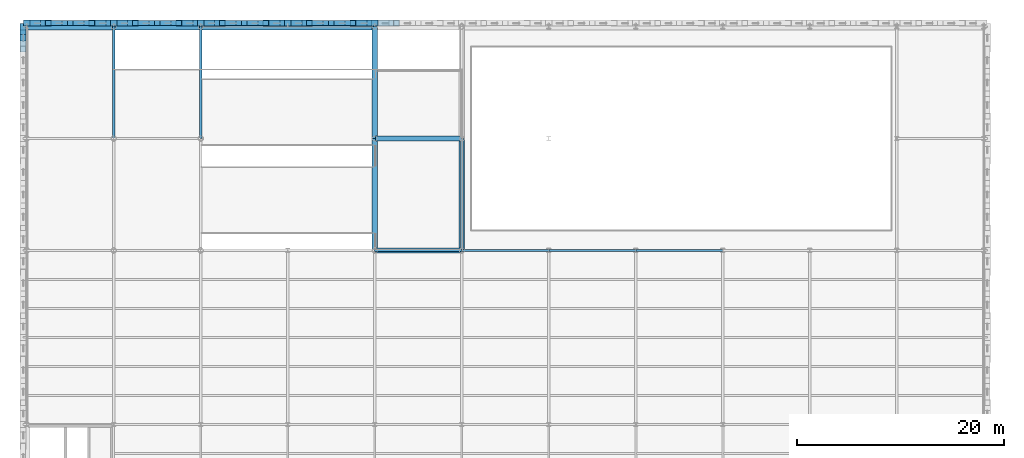
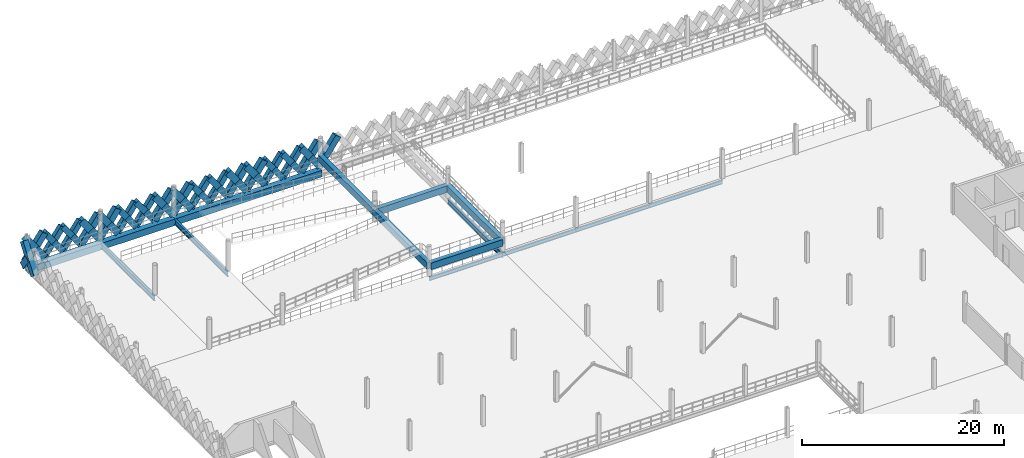
# One storey, part 30 of 79: 51 members, 15 beams.
"""IFC4 building model written with IfcOpenShell, lengths in metres."""

from ifc_helpers import new_model, si_unit, direction, frame, origin, origin_2d, place, context, subcontext, project, spatial, rectangle, i_section, extrude, material, material_profile, profile_set, type_object, element, save


model = new_model("IFC4")

# Units and contexts
model_context = context("Model", 3, precision=1e-05, world=origin(), true_north=direction((0.0, 1.0)))
body_context = subcontext(model_context, "Body", "Model", "MODEL_VIEW")
ifc_project = project(units=[si_unit("LENGTHUNIT", "METRE"), si_unit("AREAUNIT", "SQUARE_METRE"), si_unit("VOLUMEUNIT", "CUBIC_METRE"), si_unit("PLANEANGLEUNIT", "RADIAN"), si_unit("MASSUNIT", "GRAM", prefix="KILO"), si_unit("THERMODYNAMICTEMPERATUREUNIT", "KELVIN"), si_unit("POWERUNIT", "WATT")], contexts=[model_context])

# Site, building, storey
site_placement = place(None, origin())
site = spatial("IfcSite", under=ifc_project, at=site_placement, CompositionType="ELEMENT")
building_placement = place(site_placement, origin())
building = spatial("IfcBuilding", under=site, at=building_placement, Name="Tembeka Court Mobility Hub", CompositionType="ELEMENT")
storey_placement = place(building_placement, frame((0.0, 0.0, 9.0)))
storey = spatial("IfcBuildingStorey", under=building, at=storey_placement, Name="L02", CompositionType="ELEMENT", Elevation=9.0)

# Beams
ifc_material_1 = material(Name="Steel S355", Category="steel")
ifc_material_profile_1 = material_profile(ifc_material_1, i_section(OverallWidth=0.18994140625, OverallDepth=0.45703125, WebThickness=0.009033203125, FlangeThickness=0.014404296875, FilletRadius=0.01025390625, at=origin_2d()), Name="UKB 457x191x74")
ifc_profile_set_1 = profile_set([ifc_material_profile_1], Name="Steel S355")
beam_type_1 = type_object("IfcBeamType", Name="BM-B01", PredefinedType="BEAM", material=ifc_profile_set_1)
for number, where, z_axis, x_axis, name in (
    (1, (33.60009765625, 97.199951171875, -0.448486328125), (1.0, 0.0, 0.0), (0.0, 1.0, 0.0), "Beam B01 (BM-L02-X1287)"),
    (2, (42.0, 97.199951171875, -0.448486328125), (1.0, 0.0, 0.0), (0.0, 1.0, 0.0), "Beam B01 (BM-L02-X1288)"),
):
    element("IfcBeam", number, at=place(storey_placement, frame(where, z_axis=z_axis, x_axis=x_axis)), inside=storey, type_object=beam_type_1, Name=name, PredefinedType="BEAM", context=body_context, shape_type="SweptSolid", body=[
        extrude(i_section(OverallWidth=0.18994140625, OverallDepth=0.45703125, WebThickness=0.009033203125, FlangeThickness=0.014404296875, FilletRadius=0.01025390625, at=origin_2d()), origin(), (0.0, 0.0, 1.0), 8.39990234375),
    ])
beam_1_placement = place(storey_placement, frame((50.39990234375, 97.199951171875, -0.448486328125), z_axis=(1.0, 0.0, 0.0), x_axis=(0.0, 1.0, 0.0)))
element("IfcBeam", 3, at=beam_1_placement, inside=storey, type_object=beam_type_1, Name="Beam B01 (BM-L02-X1289)", PredefinedType="BEAM", context=body_context, shape_type="SweptSolid", body=[
    extrude(i_section(OverallWidth=0.18994140625, OverallDepth=0.45703125, WebThickness=0.009033203125, FlangeThickness=0.014404296875, FilletRadius=0.01025390625, at=origin_2d()), origin(), (0.0, 0.0, 1.0), 8.400146484375),
])
beam_2_placement = place(storey_placement, frame((58.800048828125, 97.199951171875, -0.448486328125), z_axis=(1.0, 0.0, 0.0), x_axis=(0.0, 1.0, 0.0)))
element("IfcBeam", 4, at=beam_2_placement, inside=storey, type_object=beam_type_1, Name="Beam B01 (BM-L02-X1290)", PredefinedType="BEAM", context=body_context, shape_type="SweptSolid", body=[
    extrude(i_section(OverallWidth=0.18994140625, OverallDepth=0.45703125, WebThickness=0.009033203125, FlangeThickness=0.014404296875, FilletRadius=0.01025390625, at=origin_2d()), origin(), (0.0, 0.0, 1.0), 8.39990234375),
])
ifc_material_2 = material(Name="Concrete C40/50", Category="concrete")
ifc_material_profile_2 = material_profile(ifc_material_2, rectangle(XDim=0.5, YDim=0.800048828125, at=origin_2d()), Name="RC-BM 500x800")
ifc_profile_set_2 = profile_set([ifc_material_profile_2], Name="Concrete C40/50")
beam_type_2 = type_object("IfcBeamType", Name="BM-B05", PredefinedType="BEAM", material=ifc_profile_set_2)
for number, where, z_axis, x_axis, name in (
    (5, (33.695068359375, 97.199951171875, 1.14990234375), (1.0, 0.0, 0.0), (0.0, 1.0, 0.0), "Car park vehicle ramp North R1 L02 half-landing tie beam EX1"),
    (6, (33.695068359375, 108.0, 1.14990234375), (1.0, 0.0, 0.0), (0.0, 1.0, 0.0), "Car park vehicle ramp North R1 L02 half-landing tie beam EX2"),
):
    element("IfcBeam", number, at=place(storey_placement, frame(where, z_axis=z_axis, x_axis=x_axis)), inside=storey, type_object=beam_type_2, Name=name, PredefinedType="BEAM", context=body_context, shape_type="SweptSolid", body=[
        extrude(rectangle(XDim=0.5, YDim=0.800048828125, at=origin_2d()), origin(), (0.0, 0.0, 1.0), 8.2099609375),
    ])
for number, where, z_axis, x_axis, name in (
    (7, (33.60009765625, 97.199951171875, 1.14990234375), (0.0, 1.0, 0.0), (-1.0, 0.0, 0.0), "Car park vehicle ramp North R1 L02 half-landing beam EM1"),
    (8, (33.60009765625, 108.0, 1.14990234375), (0.0, 1.0, 0.0), (-1.0, 0.0, 0.0), "Car park vehicle ramp North R1 L02 half-landing beam EM2"),
    (9, (42.0, 97.199951171875, 1.14990234375), (0.0, 1.0, 0.0), (-1.0, 0.0, 0.0), "Car park vehicle ramp North R1 L02 half-landing beam EE1"),
):
    element("IfcBeam", number, at=place(storey_placement, frame(where, z_axis=z_axis, x_axis=x_axis)), inside=storey, type_object=beam_type_2, Name=name, PredefinedType="BEAM", context=body_context, shape_type="SweptSolid", body=[
        extrude(rectangle(XDim=0.5, YDim=0.800048828125, at=origin_2d()), origin(), (0.0, 0.0, 1.0), 10.800048828125),
    ])
ifc_material_profile_3 = material_profile(ifc_material_1, i_section(OverallWidth=0.22900390625, OverallDepth=0.612060546875, WebThickness=0.011962890625, FlangeThickness=0.01953125, FilletRadius=0.0126953125, at=origin_2d()), Name="UKB 610x229x125")
ifc_profile_set_3 = profile_set([ifc_material_profile_3], Name="Steel S355")
beam_type_3 = type_object("IfcBeamType", Name="BM-G02", PredefinedType="USERDEFINED", material=ifc_profile_set_3)
for number, where, z_axis, x_axis, name in (
    (10, (8.39990234375, 108.0, -0.555908203125), (0.0, 1.0, 0.0), (-1.0, 0.0, 0.0), "Beam G02 (BM-L02-Y1328)"),
    (11, (16.800048828125, 108.0, -0.555908203125), (0.0, 1.0, 0.0), (-1.0, 0.0, 0.0), "Beam G02 (BM-L02-Y1339)"),
    (12, (42.0, 97.199951171875, -0.52587890625), (0.0, 1.0, 0.0), (-1.0, 0.0, 0.0), "Beam G02 (BM-L02-Y1361)"),
):
    element("IfcBeam", number, at=place(storey_placement, frame(where, z_axis=z_axis, x_axis=x_axis)), inside=storey, type_object=beam_type_3, Name=name, ObjectType="GIRDER", PredefinedType="USERDEFINED", context=body_context, shape_type="SweptSolid", body=[
        extrude(i_section(OverallWidth=0.22900390625, OverallDepth=0.612060546875, WebThickness=0.011962890625, FlangeThickness=0.01953125, FilletRadius=0.0126953125, at=origin_2d()), origin(), (0.0, 0.0, 1.0), 10.800048828125),
    ])
ifc_material_3 = material(Name="Precast concrete C45/55", Category="concrete")
ifc_material_profile_4 = material_profile(ifc_material_3, rectangle(XDim=0.64990234375, YDim=0.800048828125, at=origin_2d()), Name="PC-SP 650x800")
ifc_profile_set_4 = profile_set([ifc_material_profile_4], Name="Precast concrete C45/55")
beam_type_4 = type_object("IfcBeamType", Name="BM-SP01", PredefinedType="SPANDREL", material=ifc_profile_set_4)
beam_3_placement = place(storey_placement, frame((0.0, 118.800048828125, -0.6201171875), z_axis=(1.0, 0.0, 0.0), x_axis=(0.0, 1.0, 0.0)))
element("IfcBeam", 13, at=beam_3_placement, inside=storey, type_object=beam_type_4, Name="Beam SP01 (BM-L02-X1297)", PredefinedType="SPANDREL", context=body_context, shape_type="SweptSolid", body=[
    extrude(rectangle(XDim=0.64990234375, YDim=0.800048828125, at=origin_2d()), origin(), (0.0, 0.0, 1.0), 8.39990234375),
])
beam_4_placement = place(storey_placement, frame((8.39990234375, 118.800048828125, -0.6201171875), z_axis=(1.0, 0.0, 0.0), x_axis=(0.0, 1.0, 0.0)))
element("IfcBeam", 14, at=beam_4_placement, inside=storey, type_object=beam_type_4, Name="Beam SP01 (BM-L02-X1298)", PredefinedType="SPANDREL", context=body_context, shape_type="SweptSolid", body=[
    extrude(rectangle(XDim=0.64990234375, YDim=0.800048828125, at=origin_2d()), origin(), (0.0, 0.0, 1.0), 8.400146484375),
])
beam_5_placement = place(storey_placement, frame((16.800048828125, 118.800048828125, -0.6201171875), z_axis=(1.0, 0.0, 0.0), x_axis=(0.0, 1.0, 0.0)))
element("IfcBeam", 15, at=beam_5_placement, inside=storey, type_object=beam_type_4, Name="Beam SP01 (BM-L02-X1299)", PredefinedType="SPANDREL", context=body_context, shape_type="SweptSolid", body=[
    extrude(rectangle(XDim=0.64990234375, YDim=0.800048828125, at=origin_2d()), origin(), (0.0, 0.0, 1.0), 16.800048828125),
])

# Members
ifc_material_profile_5 = material_profile(ifc_material_3, rectangle(XDim=0.5, YDim=0.64990234375, at=origin_2d()), Name="PC-DIAG 500x650")
ifc_profile_set_5 = profile_set([ifc_material_profile_5], Name="Precast concrete C45/55")
member_type_1 = type_object("IfcMemberType", Name="MEM-DL01", PredefinedType="BRACE", material=ifc_profile_set_5)
member_1_placement = place(storey_placement, frame((2.10009765625, 119.139892578125, 0.02001953125), z_axis=(0.58253161945, 0.0, 0.812808041509), x_axis=(0.0, 1.0, 0.0)))
element("IfcMember", 16, at=member_1_placement, inside=storey, type_object=member_type_1, Name="Precast diamond lattice continuous strand DL01 (L02-234A)", PredefinedType="BRACE", context=body_context, shape_type="SweptSolid", body=[
    extrude(rectangle(XDim=0.5, YDim=0.64990234375, at=origin_2d()), origin(), (0.0, 0.0, 1.0), 3.604736328125),
])
member_2_placement = place(storey_placement, frame((4.199951171875, 119.139892578125, 0.02001953125), z_axis=(-0.582544294934, 0.0, 0.812798956963), x_axis=(0.0, -1.0, 0.0)))
element("IfcMember", 17, at=member_2_placement, inside=storey, type_object=member_type_1, Name="Precast diamond lattice split lower strand DL01 (L02-234B1)", PredefinedType="BRACE", context=body_context, shape_type="SweptSolid", body=[
    extrude(rectangle(XDim=0.5, YDim=0.64990234375, at=origin_2d()), origin(), (0.0, 0.0, 1.0), 1.802490234375),
])
member_3_placement = place(storey_placement, frame((3.14990234375, 119.139892578125, 1.485107421875), z_axis=(-0.582518941428, 0.0, 0.812817127574), x_axis=(0.0, -1.0, 0.0)))
element("IfcMember", 18, at=member_3_placement, inside=storey, type_object=member_type_1, Name="Precast diamond lattice split upper strand DL01 (L02-234B2)", PredefinedType="BRACE", context=body_context, shape_type="SweptSolid", body=[
    extrude(rectangle(XDim=0.5, YDim=0.64990234375, at=origin_2d()), origin(), (0.0, 0.0, 1.0), 1.80224609375),
])
member_4_placement = place(storey_placement, frame((4.199951171875, 119.139892578125, 0.02001953125), z_axis=(0.582576362011, 0.0, 0.812775973086), x_axis=(0.0, 1.0, 0.0)))
element("IfcMember", 19, at=member_4_placement, inside=storey, type_object=member_type_1, Name="Precast diamond lattice continuous strand DL01 (L02-235A)", PredefinedType="BRACE", context=body_context, shape_type="SweptSolid", body=[
    extrude(rectangle(XDim=0.5, YDim=0.64990234375, at=origin_2d()), origin(), (0.0, 0.0, 1.0), 3.604736328125),
])
member_5_placement = place(storey_placement, frame((6.300048828125, 119.139892578125, 0.02001953125), z_axis=(-0.582544294934, 0.0, 0.812798956963), x_axis=(0.0, -1.0, 0.0)))
element("IfcMember", 20, at=member_5_placement, inside=storey, type_object=member_type_1, Name="Precast diamond lattice split lower strand DL01 (L02-235B1)", PredefinedType="BRACE", context=body_context, shape_type="SweptSolid", body=[
    extrude(rectangle(XDim=0.5, YDim=0.64990234375, at=origin_2d()), origin(), (0.0, 0.0, 1.0), 1.802490234375),
])
member_6_placement = place(storey_placement, frame((5.25, 119.139892578125, 1.485107421875), z_axis=(-0.582608431711, 0.0, 0.812752985414), x_axis=(0.0, -1.0, 0.0)))
element("IfcMember", 21, at=member_6_placement, inside=storey, type_object=member_type_1, Name="Precast diamond lattice split upper strand DL01 (L02-235B2)", PredefinedType="BRACE", context=body_context, shape_type="SweptSolid", body=[
    extrude(rectangle(XDim=0.5, YDim=0.64990234375, at=origin_2d()), origin(), (0.0, 0.0, 1.0), 1.80224609375),
])
member_7_placement = place(storey_placement, frame((10.5, 119.139892578125, 0.02001953125), z_axis=(0.582576362011, 0.0, 0.812775973086), x_axis=(0.0, 1.0, 0.0)))
element("IfcMember", 22, at=member_7_placement, inside=storey, type_object=member_type_1, Name="Precast diamond lattice continuous strand DL01 (L02-238A)", PredefinedType="BRACE", context=body_context, shape_type="SweptSolid", body=[
    extrude(rectangle(XDim=0.5, YDim=0.64990234375, at=origin_2d()), origin(), (0.0, 0.0, 1.0), 3.604736328125),
])
member_8_placement = place(storey_placement, frame((12.60009765625, 119.139892578125, 0.02001953125), z_axis=(-0.582544294934, 0.0, 0.812798956963), x_axis=(0.0, -1.0, 0.0)))
element("IfcMember", 23, at=member_8_placement, inside=storey, type_object=member_type_1, Name="Precast diamond lattice split lower strand DL01 (L02-238B1)", PredefinedType="BRACE", context=body_context, shape_type="SweptSolid", body=[
    extrude(rectangle(XDim=0.5, YDim=0.64990234375, at=origin_2d()), origin(), (0.0, 0.0, 1.0), 1.802490234375),
])
member_9_placement = place(storey_placement, frame((11.550048828125, 119.139892578125, 1.485107421875), z_axis=(-0.582608431711, 0.0, 0.812752985414), x_axis=(0.0, -1.0, 0.0)))
element("IfcMember", 24, at=member_9_placement, inside=storey, type_object=member_type_1, Name="Precast diamond lattice split upper strand DL01 (L02-238B2)", PredefinedType="BRACE", context=body_context, shape_type="SweptSolid", body=[
    extrude(rectangle(XDim=0.5, YDim=0.64990234375, at=origin_2d()), origin(), (0.0, 0.0, 1.0), 1.80224609375),
])
member_10_placement = place(storey_placement, frame((12.60009765625, 119.139892578125, 0.02001953125), z_axis=(0.58253161945, 0.0, 0.812808041509), x_axis=(0.0, 1.0, 0.0)))
element("IfcMember", 25, at=member_10_placement, inside=storey, type_object=member_type_1, Name="Precast diamond lattice continuous strand DL01 (L02-239A)", PredefinedType="BRACE", context=body_context, shape_type="SweptSolid", body=[
    extrude(rectangle(XDim=0.5, YDim=0.64990234375, at=origin_2d()), origin(), (0.0, 0.0, 1.0), 3.604736328125),
])
member_11_placement = place(storey_placement, frame((14.699951171875, 119.139892578125, 0.02001953125), z_axis=(-0.582544294934, 0.0, 0.812798956963), x_axis=(0.0, -1.0, 0.0)))
element("IfcMember", 26, at=member_11_placement, inside=storey, type_object=member_type_1, Name="Precast diamond lattice split lower strand DL01 (L02-239B1)", PredefinedType="BRACE", context=body_context, shape_type="SweptSolid", body=[
    extrude(rectangle(XDim=0.5, YDim=0.64990234375, at=origin_2d()), origin(), (0.0, 0.0, 1.0), 1.802490234375),
])
member_12_placement = place(storey_placement, frame((13.64990234375, 119.139892578125, 1.485107421875), z_axis=(-0.582518941428, 0.0, 0.812817127574), x_axis=(0.0, -1.0, 0.0)))
element("IfcMember", 27, at=member_12_placement, inside=storey, type_object=member_type_1, Name="Precast diamond lattice split upper strand DL01 (L02-239B2)", PredefinedType="BRACE", context=body_context, shape_type="SweptSolid", body=[
    extrude(rectangle(XDim=0.5, YDim=0.64990234375, at=origin_2d()), origin(), (0.0, 0.0, 1.0), 1.80224609375),
])
member_13_placement = place(storey_placement, frame((18.89990234375, 119.139892578125, 0.02001953125), z_axis=(0.582576362011, 0.0, 0.812775973086), x_axis=(0.0, 1.0, 0.0)))
element("IfcMember", 28, at=member_13_placement, inside=storey, type_object=member_type_1, Name="Precast diamond lattice continuous strand DL01 (L02-242A)", PredefinedType="BRACE", context=body_context, shape_type="SweptSolid", body=[
    extrude(rectangle(XDim=0.5, YDim=0.64990234375, at=origin_2d()), origin(), (0.0, 0.0, 1.0), 3.604736328125),
])
member_14_placement = place(storey_placement, frame((21.0, 119.139892578125, 0.02001953125), z_axis=(-0.582544294934, 0.0, 0.812798956963), x_axis=(0.0, -1.0, 0.0)))
element("IfcMember", 29, at=member_14_placement, inside=storey, type_object=member_type_1, Name="Precast diamond lattice split lower strand DL01 (L02-242B1)", PredefinedType="BRACE", context=body_context, shape_type="SweptSolid", body=[
    extrude(rectangle(XDim=0.5, YDim=0.64990234375, at=origin_2d()), origin(), (0.0, 0.0, 1.0), 1.802490234375),
])
member_15_placement = place(storey_placement, frame((19.949951171875, 119.139892578125, 1.485107421875), z_axis=(-0.582608431711, 0.0, 0.812752985414), x_axis=(0.0, -1.0, 0.0)))
element("IfcMember", 30, at=member_15_placement, inside=storey, type_object=member_type_1, Name="Precast diamond lattice split upper strand DL01 (L02-242B2)", PredefinedType="BRACE", context=body_context, shape_type="SweptSolid", body=[
    extrude(rectangle(XDim=0.5, YDim=0.64990234375, at=origin_2d()), origin(), (0.0, 0.0, 1.0), 1.80224609375),
])
member_16_placement = place(storey_placement, frame((21.0, 119.139892578125, 0.02001953125), z_axis=(0.582576362011, 0.0, 0.812775973086), x_axis=(0.0, 1.0, 0.0)))
element("IfcMember", 31, at=member_16_placement, inside=storey, type_object=member_type_1, Name="Precast diamond lattice continuous strand DL01 (L02-243A)", PredefinedType="BRACE", context=body_context, shape_type="SweptSolid", body=[
    extrude(rectangle(XDim=0.5, YDim=0.64990234375, at=origin_2d()), origin(), (0.0, 0.0, 1.0), 3.604736328125),
])
member_17_placement = place(storey_placement, frame((23.10009765625, 119.139892578125, 0.02001953125), z_axis=(-0.582544294934, 0.0, 0.812798956963), x_axis=(0.0, -1.0, 0.0)))
element("IfcMember", 32, at=member_17_placement, inside=storey, type_object=member_type_1, Name="Precast diamond lattice split lower strand DL01 (L02-243B1)", PredefinedType="BRACE", context=body_context, shape_type="SweptSolid", body=[
    extrude(rectangle(XDim=0.5, YDim=0.64990234375, at=origin_2d()), origin(), (0.0, 0.0, 1.0), 1.802490234375),
])
member_18_placement = place(storey_placement, frame((22.050048828125, 119.139892578125, 1.485107421875), z_axis=(-0.582608431711, 0.0, 0.812752985414), x_axis=(0.0, -1.0, 0.0)))
element("IfcMember", 33, at=member_18_placement, inside=storey, type_object=member_type_1, Name="Precast diamond lattice split upper strand DL01 (L02-243B2)", PredefinedType="BRACE", context=body_context, shape_type="SweptSolid", body=[
    extrude(rectangle(XDim=0.5, YDim=0.64990234375, at=origin_2d()), origin(), (0.0, 0.0, 1.0), 1.80224609375),
])
member_19_placement = place(storey_placement, frame((27.300048828125, 119.139892578125, 0.02001953125), z_axis=(0.58253161945, 0.0, 0.812808041509), x_axis=(0.0, 1.0, 0.0)))
element("IfcMember", 34, at=member_19_placement, inside=storey, type_object=member_type_1, Name="Precast diamond lattice continuous strand DL01 (L02-246A)", PredefinedType="BRACE", context=body_context, shape_type="SweptSolid", body=[
    extrude(rectangle(XDim=0.5, YDim=0.64990234375, at=origin_2d()), origin(), (0.0, 0.0, 1.0), 3.604736328125),
])
member_20_placement = place(storey_placement, frame((29.39990234375, 119.139892578125, 0.02001953125), z_axis=(-0.582454804382, 0.0, 0.812863088627), x_axis=(0.0, -1.0, 0.0)))
element("IfcMember", 35, at=member_20_placement, inside=storey, type_object=member_type_1, Name="Precast diamond lattice split lower strand DL01 (L02-246B1)", PredefinedType="BRACE", context=body_context, shape_type="SweptSolid", body=[
    extrude(rectangle(XDim=0.5, YDim=0.64990234375, at=origin_2d()), origin(), (0.0, 0.0, 1.0), 1.802490234375),
])
member_21_placement = place(storey_placement, frame((28.35009765625, 119.139892578125, 1.485107421875), z_axis=(-0.582608431711, 0.0, 0.812752985414), x_axis=(0.0, -1.0, 0.0)))
element("IfcMember", 36, at=member_21_placement, inside=storey, type_object=member_type_1, Name="Precast diamond lattice split upper strand DL01 (L02-246B2)", PredefinedType="BRACE", context=body_context, shape_type="SweptSolid", body=[
    extrude(rectangle(XDim=0.5, YDim=0.64990234375, at=origin_2d()), origin(), (0.0, 0.0, 1.0), 1.80224609375),
])
member_22_placement = place(storey_placement, frame((29.39990234375, 119.139892578125, 0.02001953125), z_axis=(0.582576362011, 0.0, 0.812775973086), x_axis=(0.0, 1.0, 0.0)))
element("IfcMember", 37, at=member_22_placement, inside=storey, type_object=member_type_1, Name="Precast diamond lattice continuous strand DL01 (L02-247A)", PredefinedType="BRACE", context=body_context, shape_type="SweptSolid", body=[
    extrude(rectangle(XDim=0.5, YDim=0.64990234375, at=origin_2d()), origin(), (0.0, 0.0, 1.0), 3.604736328125),
])
member_23_placement = place(storey_placement, frame((31.5, 119.139892578125, 0.02001953125), z_axis=(-0.582544294934, 0.0, 0.812798956963), x_axis=(0.0, -1.0, 0.0)))
element("IfcMember", 38, at=member_23_placement, inside=storey, type_object=member_type_1, Name="Precast diamond lattice split lower strand DL01 (L02-247B1)", PredefinedType="BRACE", context=body_context, shape_type="SweptSolid", body=[
    extrude(rectangle(XDim=0.5, YDim=0.64990234375, at=origin_2d()), origin(), (0.0, 0.0, 1.0), 1.802490234375),
])
member_24_placement = place(storey_placement, frame((30.449951171875, 119.139892578125, 1.485107421875), z_axis=(-0.582608431711, 0.0, 0.812752985414), x_axis=(0.0, -1.0, 0.0)))
element("IfcMember", 39, at=member_24_placement, inside=storey, type_object=member_type_1, Name="Precast diamond lattice split upper strand DL01 (L02-247B2)", PredefinedType="BRACE", context=body_context, shape_type="SweptSolid", body=[
    extrude(rectangle(XDim=0.5, YDim=0.64990234375, at=origin_2d()), origin(), (0.0, 0.0, 1.0), 1.80224609375),
])
ifc_material_profile_6 = material_profile(ifc_material_3, rectangle(XDim=0.60009765625, YDim=0.75, at=origin_2d()), Name="PC-DIAG 600x750")
ifc_profile_set_6 = profile_set([ifc_material_profile_6], Name="Precast concrete C45/55")
member_type_2 = type_object("IfcMemberType", Name="MEM-DL02", PredefinedType="BRACE", material=ifc_profile_set_6)
member_25_placement = place(storey_placement, frame((0.0, 119.139892578125, 0.02001953125), z_axis=(0.582576362011, 0.0, 0.812775973086), x_axis=(0.0, 1.0, 0.0)))
element("IfcMember", 40, at=member_25_placement, inside=storey, type_object=member_type_2, Name="Precast diamond lattice continuous strand DL02 (L02-233A)", PredefinedType="BRACE", context=body_context, shape_type="SweptSolid", body=[
    extrude(rectangle(XDim=0.60009765625, YDim=0.75, at=origin_2d()), origin(), (0.0, 0.0, 1.0), 3.604736328125),
])
member_26_placement = place(storey_placement, frame((2.10009765625, 119.139892578125, 0.02001953125), z_axis=(-0.582544294934, 0.0, 0.812798956963), x_axis=(0.0, -1.0, 0.0)))
element("IfcMember", 41, at=member_26_placement, inside=storey, type_object=member_type_2, Name="Precast diamond lattice split lower strand DL02 (L02-233B1)", PredefinedType="BRACE", context=body_context, shape_type="SweptSolid", body=[
    extrude(rectangle(XDim=0.60009765625, YDim=0.75, at=origin_2d()), origin(), (0.0, 0.0, 1.0), 1.802490234375),
])
member_27_placement = place(storey_placement, frame((1.050048828125, 119.139892578125, 1.485107421875), z_axis=(-0.582608431711, 0.0, 0.812752985414), x_axis=(0.0, -1.0, 0.0)))
element("IfcMember", 42, at=member_27_placement, inside=storey, type_object=member_type_2, Name="Precast diamond lattice split upper strand DL02 (L02-233B2)", PredefinedType="BRACE", context=body_context, shape_type="SweptSolid", body=[
    extrude(rectangle(XDim=0.60009765625, YDim=0.75, at=origin_2d()), origin(), (0.0, 0.0, 1.0), 1.80224609375),
])
member_28_placement = place(storey_placement, frame((6.300048828125, 119.139892578125, 0.02001953125), z_axis=(0.58253161945, 0.0, 0.812808041509), x_axis=(0.0, 1.0, 0.0)))
element("IfcMember", 43, at=member_28_placement, inside=storey, type_object=member_type_2, Name="Precast diamond lattice continuous strand DL02 (L02-236A)", PredefinedType="BRACE", context=body_context, shape_type="SweptSolid", body=[
    extrude(rectangle(XDim=0.60009765625, YDim=0.75, at=origin_2d()), origin(), (0.0, 0.0, 1.0), 3.604736328125),
])
member_29_placement = place(storey_placement, frame((8.39990234375, 119.139892578125, 0.02001953125), z_axis=(-0.582454804382, 0.0, 0.812863088627), x_axis=(0.0, -1.0, 0.0)))
element("IfcMember", 44, at=member_29_placement, inside=storey, type_object=member_type_2, Name="Precast diamond lattice split lower strand DL02 (L02-236B1)", PredefinedType="BRACE", context=body_context, shape_type="SweptSolid", body=[
    extrude(rectangle(XDim=0.60009765625, YDim=0.75, at=origin_2d()), origin(), (0.0, 0.0, 1.0), 1.802490234375),
])
member_30_placement = place(storey_placement, frame((7.35009765625, 119.139892578125, 1.485107421875), z_axis=(-0.582608431711, 0.0, 0.812752985414), x_axis=(0.0, -1.0, 0.0)))
element("IfcMember", 45, at=member_30_placement, inside=storey, type_object=member_type_2, Name="Precast diamond lattice split upper strand DL02 (L02-236B2)", PredefinedType="BRACE", context=body_context, shape_type="SweptSolid", body=[
    extrude(rectangle(XDim=0.60009765625, YDim=0.75, at=origin_2d()), origin(), (0.0, 0.0, 1.0), 1.80224609375),
])
member_31_placement = place(storey_placement, frame((8.39990234375, 119.139892578125, 0.02001953125), z_axis=(0.582576362011, 0.0, 0.812775973086), x_axis=(0.0, 1.0, 0.0)))
element("IfcMember", 46, at=member_31_placement, inside=storey, type_object=member_type_2, Name="Precast diamond lattice continuous strand DL02 (L02-237A)", PredefinedType="BRACE", context=body_context, shape_type="SweptSolid", body=[
    extrude(rectangle(XDim=0.60009765625, YDim=0.75, at=origin_2d()), origin(), (0.0, 0.0, 1.0), 3.604736328125),
])
member_32_placement = place(storey_placement, frame((10.5, 119.139892578125, 0.02001953125), z_axis=(-0.582544294934, 0.0, 0.812798956963), x_axis=(0.0, -1.0, 0.0)))
element("IfcMember", 47, at=member_32_placement, inside=storey, type_object=member_type_2, Name="Precast diamond lattice split lower strand DL02 (L02-237B1)", PredefinedType="BRACE", context=body_context, shape_type="SweptSolid", body=[
    extrude(rectangle(XDim=0.60009765625, YDim=0.75, at=origin_2d()), origin(), (0.0, 0.0, 1.0), 1.802490234375),
])
member_33_placement = place(storey_placement, frame((9.449951171875, 119.139892578125, 1.485107421875), z_axis=(-0.582608431711, 0.0, 0.812752985414), x_axis=(0.0, -1.0, 0.0)))
element("IfcMember", 48, at=member_33_placement, inside=storey, type_object=member_type_2, Name="Precast diamond lattice split upper strand DL02 (L02-237B2)", PredefinedType="BRACE", context=body_context, shape_type="SweptSolid", body=[
    extrude(rectangle(XDim=0.60009765625, YDim=0.75, at=origin_2d()), origin(), (0.0, 0.0, 1.0), 1.80224609375),
])
member_34_placement = place(storey_placement, frame((14.699951171875, 119.139892578125, 0.02001953125), z_axis=(0.582576362011, 0.0, 0.812775973086), x_axis=(0.0, 1.0, 0.0)))
element("IfcMember", 49, at=member_34_placement, inside=storey, type_object=member_type_2, Name="Precast diamond lattice continuous strand DL02 (L02-240A)", PredefinedType="BRACE", context=body_context, shape_type="SweptSolid", body=[
    extrude(rectangle(XDim=0.60009765625, YDim=0.75, at=origin_2d()), origin(), (0.0, 0.0, 1.0), 3.604736328125),
])
member_35_placement = place(storey_placement, frame((16.800048828125, 119.139892578125, 0.02001953125), z_axis=(-0.582544294934, 0.0, 0.812798956963), x_axis=(0.0, -1.0, 0.0)))
element("IfcMember", 50, at=member_35_placement, inside=storey, type_object=member_type_2, Name="Precast diamond lattice split lower strand DL02 (L02-240B1)", PredefinedType="BRACE", context=body_context, shape_type="SweptSolid", body=[
    extrude(rectangle(XDim=0.60009765625, YDim=0.75, at=origin_2d()), origin(), (0.0, 0.0, 1.0), 1.802490234375),
])
member_36_placement = place(storey_placement, frame((15.75, 119.139892578125, 1.485107421875), z_axis=(-0.582608431711, 0.0, 0.812752985414), x_axis=(0.0, -1.0, 0.0)))
element("IfcMember", 51, at=member_36_placement, inside=storey, type_object=member_type_2, Name="Precast diamond lattice split upper strand DL02 (L02-240B2)", PredefinedType="BRACE", context=body_context, shape_type="SweptSolid", body=[
    extrude(rectangle(XDim=0.60009765625, YDim=0.75, at=origin_2d()), origin(), (0.0, 0.0, 1.0), 1.80224609375),
])
member_37_placement = place(storey_placement, frame((16.800048828125, 119.139892578125, 0.02001953125), z_axis=(0.58253161945, 0.0, 0.812808041509), x_axis=(0.0, 1.0, 0.0)))
element("IfcMember", 52, at=member_37_placement, inside=storey, type_object=member_type_2, Name="Precast diamond lattice continuous strand DL02 (L02-241A)", PredefinedType="BRACE", context=body_context, shape_type="SweptSolid", body=[
    extrude(rectangle(XDim=0.60009765625, YDim=0.75, at=origin_2d()), origin(), (0.0, 0.0, 1.0), 3.604736328125),
])
member_38_placement = place(storey_placement, frame((18.89990234375, 119.139892578125, 0.02001953125), z_axis=(-0.582454804382, 0.0, 0.812863088627), x_axis=(0.0, -1.0, 0.0)))
element("IfcMember", 53, at=member_38_placement, inside=storey, type_object=member_type_2, Name="Precast diamond lattice split lower strand DL02 (L02-241B1)", PredefinedType="BRACE", context=body_context, shape_type="SweptSolid", body=[
    extrude(rectangle(XDim=0.60009765625, YDim=0.75, at=origin_2d()), origin(), (0.0, 0.0, 1.0), 1.802490234375),
])
member_39_placement = place(storey_placement, frame((17.85009765625, 119.139892578125, 1.485107421875), z_axis=(-0.582608431711, 0.0, 0.812752985414), x_axis=(0.0, -1.0, 0.0)))
element("IfcMember", 54, at=member_39_placement, inside=storey, type_object=member_type_2, Name="Precast diamond lattice split upper strand DL02 (L02-241B2)", PredefinedType="BRACE", context=body_context, shape_type="SweptSolid", body=[
    extrude(rectangle(XDim=0.60009765625, YDim=0.75, at=origin_2d()), origin(), (0.0, 0.0, 1.0), 1.80224609375),
])
member_40_placement = place(storey_placement, frame((23.10009765625, 119.139892578125, 0.02001953125), z_axis=(0.58253161945, 0.0, 0.812808041509), x_axis=(0.0, 1.0, 0.0)))
element("IfcMember", 55, at=member_40_placement, inside=storey, type_object=member_type_2, Name="Precast diamond lattice continuous strand DL02 (L02-244A)", PredefinedType="BRACE", context=body_context, shape_type="SweptSolid", body=[
    extrude(rectangle(XDim=0.60009765625, YDim=0.75, at=origin_2d()), origin(), (0.0, 0.0, 1.0), 3.604736328125),
])
member_41_placement = place(storey_placement, frame((25.199951171875, 119.139892578125, 0.02001953125), z_axis=(-0.582544294934, 0.0, 0.812798956963), x_axis=(0.0, -1.0, 0.0)))
element("IfcMember", 56, at=member_41_placement, inside=storey, type_object=member_type_2, Name="Precast diamond lattice split lower strand DL02 (L02-244B1)", PredefinedType="BRACE", context=body_context, shape_type="SweptSolid", body=[
    extrude(rectangle(XDim=0.60009765625, YDim=0.75, at=origin_2d()), origin(), (0.0, 0.0, 1.0), 1.802490234375),
])
member_42_placement = place(storey_placement, frame((24.14990234375, 119.139892578125, 1.485107421875), z_axis=(-0.582518941428, 0.0, 0.812817127574), x_axis=(0.0, -1.0, 0.0)))
element("IfcMember", 57, at=member_42_placement, inside=storey, type_object=member_type_2, Name="Precast diamond lattice split upper strand DL02 (L02-244B2)", PredefinedType="BRACE", context=body_context, shape_type="SweptSolid", body=[
    extrude(rectangle(XDim=0.60009765625, YDim=0.75, at=origin_2d()), origin(), (0.0, 0.0, 1.0), 1.80224609375),
])
member_43_placement = place(storey_placement, frame((25.199951171875, 119.139892578125, 0.02001953125), z_axis=(0.582576362011, 0.0, 0.812775973086), x_axis=(0.0, 1.0, 0.0)))
element("IfcMember", 58, at=member_43_placement, inside=storey, type_object=member_type_2, Name="Precast diamond lattice continuous strand DL02 (L02-245A)", PredefinedType="BRACE", context=body_context, shape_type="SweptSolid", body=[
    extrude(rectangle(XDim=0.60009765625, YDim=0.75, at=origin_2d()), origin(), (0.0, 0.0, 1.0), 3.604736328125),
])
member_44_placement = place(storey_placement, frame((27.300048828125, 119.139892578125, 0.02001953125), z_axis=(-0.582544294934, 0.0, 0.812798956963), x_axis=(0.0, -1.0, 0.0)))
element("IfcMember", 59, at=member_44_placement, inside=storey, type_object=member_type_2, Name="Precast diamond lattice split lower strand DL02 (L02-245B1)", PredefinedType="BRACE", context=body_context, shape_type="SweptSolid", body=[
    extrude(rectangle(XDim=0.60009765625, YDim=0.75, at=origin_2d()), origin(), (0.0, 0.0, 1.0), 1.802490234375),
])
member_45_placement = place(storey_placement, frame((26.25, 119.139892578125, 1.485107421875), z_axis=(-0.582608431711, 0.0, 0.812752985414), x_axis=(0.0, -1.0, 0.0)))
element("IfcMember", 60, at=member_45_placement, inside=storey, type_object=member_type_2, Name="Precast diamond lattice split upper strand DL02 (L02-245B2)", PredefinedType="BRACE", context=body_context, shape_type="SweptSolid", body=[
    extrude(rectangle(XDim=0.60009765625, YDim=0.75, at=origin_2d()), origin(), (0.0, 0.0, 1.0), 1.80224609375),
])
member_46_placement = place(storey_placement, frame((31.5, 119.139892578125, 0.02001953125), z_axis=(0.582576362011, 0.0, 0.812775973086), x_axis=(0.0, 1.0, 0.0)))
element("IfcMember", 61, at=member_46_placement, inside=storey, type_object=member_type_2, Name="Precast diamond lattice continuous strand DL02 (L02-248A)", PredefinedType="BRACE", context=body_context, shape_type="SweptSolid", body=[
    extrude(rectangle(XDim=0.60009765625, YDim=0.75, at=origin_2d()), origin(), (0.0, 0.0, 1.0), 3.604736328125),
])
member_47_placement = place(storey_placement, frame((33.60009765625, 119.139892578125, 0.02001953125), z_axis=(-0.582544294934, 0.0, 0.812798956963), x_axis=(0.0, -1.0, 0.0)))
element("IfcMember", 62, at=member_47_placement, inside=storey, type_object=member_type_2, Name="Precast diamond lattice split lower strand DL02 (L02-248B1)", PredefinedType="BRACE", context=body_context, shape_type="SweptSolid", body=[
    extrude(rectangle(XDim=0.60009765625, YDim=0.75, at=origin_2d()), origin(), (0.0, 0.0, 1.0), 1.802490234375),
])
member_48_placement = place(storey_placement, frame((32.550048828125, 119.139892578125, 1.485107421875), z_axis=(-0.582608431711, 0.0, 0.812752985414), x_axis=(0.0, -1.0, 0.0)))
element("IfcMember", 63, at=member_48_placement, inside=storey, type_object=member_type_2, Name="Precast diamond lattice split upper strand DL02 (L02-248B2)", PredefinedType="BRACE", context=body_context, shape_type="SweptSolid", body=[
    extrude(rectangle(XDim=0.60009765625, YDim=0.75, at=origin_2d()), origin(), (0.0, 0.0, 1.0), 1.80224609375),
])
member_49_placement = place(storey_placement, frame((33.60009765625, 119.139892578125, 0.02001953125), z_axis=(0.58253161945, 0.0, 0.812808041509), x_axis=(0.0, 1.0, 0.0)))
element("IfcMember", 64, at=member_49_placement, inside=storey, type_object=member_type_2, Name="Precast diamond lattice continuous strand DL02 (L02-249A)", PredefinedType="BRACE", context=body_context, shape_type="SweptSolid", body=[
    extrude(rectangle(XDim=0.60009765625, YDim=0.75, at=origin_2d()), origin(), (0.0, 0.0, 1.0), 3.604736328125),
])
member_50_placement = place(storey_placement, frame((-0.340087890625, 116.639892578125, 0.02001953125), z_axis=(0.0, 0.593423219328, 0.804890602978), x_axis=(-1.0, 0.0, 0.0)))
element("IfcMember", 65, at=member_50_placement, inside=storey, type_object=member_type_2, Name="Precast diamond lattice continuous strand DL02 (L02-332C)", PredefinedType="BRACE", context=body_context, shape_type="SweptSolid", body=[
    extrude(rectangle(XDim=0.60009765625, YDim=0.75, at=origin_2d()), origin(), (0.0, 0.0, 1.0), 3.64013671875),
])
member_51_placement = place(storey_placement, frame((-0.340087890625, 118.800048828125, 0.02001953125), z_axis=(0.0, -0.593391185876, 0.804914219358), x_axis=(1.0, 0.0, 0.0)))
element("IfcMember", 66, at=member_51_placement, inside=storey, type_object=member_type_2, Name="Precast diamond lattice split lower strand DL02 (L02-332D1)", PredefinedType="BRACE", context=body_context, shape_type="SweptSolid", body=[
    extrude(rectangle(XDim=0.60009765625, YDim=0.75, at=origin_2d()), origin(), (0.0, 0.0, 1.0), 1.820068359375),
])

save(model, "model.ifc")
